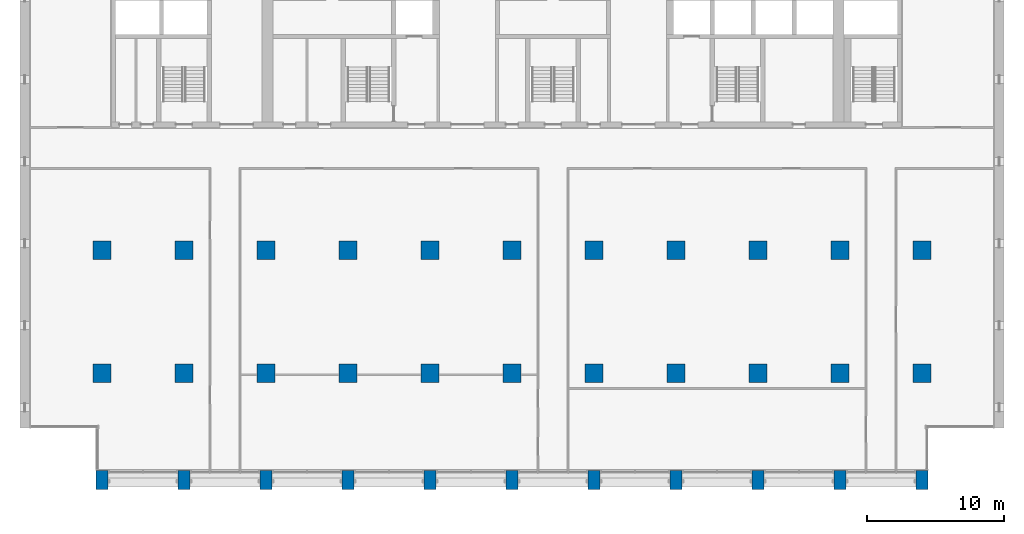
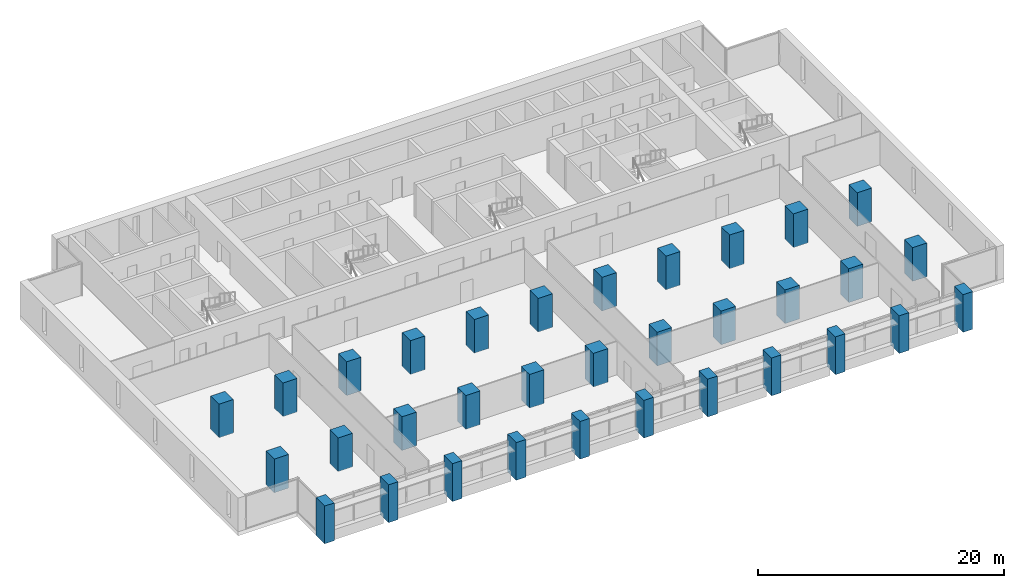
# One storey, part 1 of 15: 33 columns.
"""IFC4 building model written with IfcOpenShell, lengths in metres."""

from ifc_helpers import new_model, si_unit, direction, frame, origin, origin_2d, place, context, subcontext, project, spatial, rectangle, extrude, material, material_profile, profile_set, type_object, element, save


model = new_model("IFC4")

# Units and contexts
model_context = context("Model", 3, precision=1e-05, world=origin(), true_north=direction((0.0, 1.0)))
body_context = subcontext(model_context, "Body", "Model", "MODEL_VIEW")
ifc_project = project(units=[si_unit("LENGTHUNIT", "METRE"), si_unit("AREAUNIT", "SQUARE_METRE"), si_unit("VOLUMEUNIT", "CUBIC_METRE"), si_unit("PLANEANGLEUNIT", "RADIAN"), si_unit("MASSUNIT", "GRAM", prefix="KILO")], contexts=[model_context])

# Site, building, storey
site_placement = place(None, origin())
site = spatial("IfcSite", under=ifc_project, at=site_placement, CompositionType="ELEMENT")
building_placement = place(site_placement, origin())
building = spatial("IfcBuilding", under=site, at=building_placement, Name="Calvaro Tower", CompositionType="ELEMENT")
storey_placement = place(building_placement, frame((0.0, 0.0, 117.5)))
storey = spatial("IfcBuildingStorey", under=building, at=storey_placement, Name="L29", CompositionType="ELEMENT", Elevation=117.5)

# Columns
ifc_material_1 = material(Name="Concrete C60/75", Category="concrete")
ifc_material_profile_1 = material_profile(ifc_material_1, rectangle(XDim=1.35009765625, YDim=1.35009765625, at=origin_2d()), Name="RC 1350x1350")
ifc_profile_set_1 = profile_set([ifc_material_profile_1], Name="Concrete C60/75")
column_type_1 = type_object("IfcColumnType", Name="Column 1350x1350 C60/75", PredefinedType="COLUMN", material=ifc_profile_set_1)
for number, where, z_axis, x_axis, name in (
    (1, (6.0, 10.0, 0.0), (0.0, 0.0, 1.0), (1.0, 0.0, 0.0), "Column 2B"),
    (2, (6.0, 19.0, 0.0), (0.0, 0.0, 1.0), (1.0, 0.0, 0.0), "Column 2C"),
    (3, (12.0, 10.0, 0.0), (0.0, 0.0, 1.0), (1.0, 0.0, 0.0), "Column 3B"),
    (4, (12.0, 19.0, 0.0), (0.0, 0.0, 1.0), (1.0, 0.0, 0.0), "Column 3C"),
    (5, (18.0, 10.0, 0.0), (0.0, 0.0, 1.0), (1.0, 0.0, 0.0), "Column 4B"),
    (6, (18.0, 19.0, 0.0), (0.0, 0.0, 1.0), (1.0, 0.0, 0.0), "Column 4C"),
    (7, (24.0, 10.0, 0.0), (0.0, 0.0, 1.0), (1.0, 0.0, 0.0), "Column 5B"),
    (8, (24.0, 19.0, 0.0), (0.0, 0.0, 1.0), (1.0, 0.0, 0.0), "Column 5C"),
    (9, (30.0, 10.0, 0.0), (0.0, 0.0, 1.0), (1.0, 0.0, 0.0), "Column 6B"),
    (10, (30.0, 19.0, 0.0), (0.0, 0.0, 1.0), (1.0, 0.0, 0.0), "Column 6C"),
    (11, (36.0, 10.0, 0.0), (0.0, 0.0, 1.0), (1.0, 0.0, 0.0), "Column 7B"),
    (12, (36.0, 19.0, 0.0), (0.0, 0.0, 1.0), (1.0, 0.0, 0.0), "Column 7C"),
    (13, (42.0, 10.0, 0.0), (0.0, 0.0, 1.0), (1.0, 0.0, 0.0), "Column 8B"),
    (14, (42.0, 19.0, 0.0), (0.0, 0.0, 1.0), (1.0, 0.0, 0.0), "Column 8C"),
    (15, (48.0, 10.0, 0.0), (0.0, 0.0, 1.0), (1.0, 0.0, 0.0), "Column 9B"),
    (16, (48.0, 19.0, 0.0), (0.0, 0.0, 1.0), (1.0, 0.0, 0.0), "Column 9C"),
    (17, (54.0, 10.0, 0.0), (0.0, 0.0, 1.0), (1.0, 0.0, 0.0), "Column 10B"),
    (18, (54.0, 19.0, 0.0), (0.0, 0.0, 1.0), (1.0, 0.0, 0.0), "Column 10C"),
    (19, (60.0, 10.0, 0.0), (0.0, 0.0, 1.0), (1.0, 0.0, 0.0), "Column 11B"),
    (20, (60.0, 19.0, 0.0), (0.0, 0.0, 1.0), (1.0, 0.0, 0.0), "Column 11C"),
    (21, (66.0, 10.0, 0.0), (0.0, 0.0, 1.0), (1.0, 0.0, 0.0), "Column 12B"),
    (22, (66.0, 19.0, 0.0), (0.0, 0.0, 1.0), (1.0, 0.0, 0.0), "Column 12C"),
):
    element("IfcColumn", number, at=place(storey_placement, frame(where, z_axis=z_axis, x_axis=x_axis)), inside=storey, type_object=column_type_1, Name=name, PredefinedType="COLUMN", context=body_context, shape_type="SweptSolid", body=[
        extrude(rectangle(XDim=1.35009765625, YDim=1.35009765625, at=origin_2d()), origin(), (0.0, 0.0, 1.0), 3.35009765625),
    ])
ifc_material_2 = material(Name="Concrete C60/75", Category="concrete")
ifc_material_profile_2 = material_profile(ifc_material_2, rectangle(XDim=0.89990234375, YDim=1.39990234375, at=origin_2d()), Name="RC 900x1400")
ifc_profile_set_2 = profile_set([ifc_material_profile_2], Name="Concrete C60/75")
column_type_2 = type_object("IfcColumnType", Name="Pier 900x1400 C60/75", PredefinedType="COLUMN", material=ifc_profile_set_2)
for number, where, z_axis, x_axis, name in (
    (23, (6.0, 2.199951171875, -0.39990234375), (0.0, 0.0, 1.0), (1.0, 0.0, 0.0), "South pier 2"),
    (24, (12.0, 2.199951171875, -0.39990234375), (0.0, 0.0, 1.0), (1.0, 0.0, 0.0), "South pier 3"),
    (25, (18.0, 2.199951171875, -0.39990234375), (0.0, 0.0, 1.0), (1.0, 0.0, 0.0), "South pier 4"),
    (26, (24.0, 2.199951171875, -0.39990234375), (0.0, 0.0, 1.0), (1.0, 0.0, 0.0), "South pier 5"),
    (27, (30.0, 2.199951171875, -0.39990234375), (0.0, 0.0, 1.0), (1.0, 0.0, 0.0), "South pier 6"),
    (28, (36.0, 2.199951171875, -0.39990234375), (0.0, 0.0, 1.0), (1.0, 0.0, 0.0), "South pier 7"),
    (29, (42.0, 2.199951171875, -0.39990234375), (0.0, 0.0, 1.0), (1.0, 0.0, 0.0), "South pier 8"),
    (30, (48.0, 2.199951171875, -0.39990234375), (0.0, 0.0, 1.0), (1.0, 0.0, 0.0), "South pier 9"),
    (31, (54.0, 2.199951171875, -0.39990234375), (0.0, 0.0, 1.0), (1.0, 0.0, 0.0), "South pier 10"),
    (32, (60.0, 2.199951171875, -0.39990234375), (0.0, 0.0, 1.0), (1.0, 0.0, 0.0), "South pier 11"),
    (33, (66.0, 2.199951171875, -0.39990234375), (0.0, 0.0, 1.0), (1.0, 0.0, 0.0), "South pier 12"),
):
    element("IfcColumn", number, at=place(storey_placement, frame(where, z_axis=z_axis, x_axis=x_axis)), inside=storey, type_object=column_type_2, Name=name, PredefinedType="COLUMN", context=body_context, shape_type="SweptSolid", body=[
        extrude(rectangle(XDim=0.89990234375, YDim=1.39990234375, at=origin_2d()), origin(), (0.0, 0.0, 1.0), 3.75),
    ])

save(model, "model.ifc")
